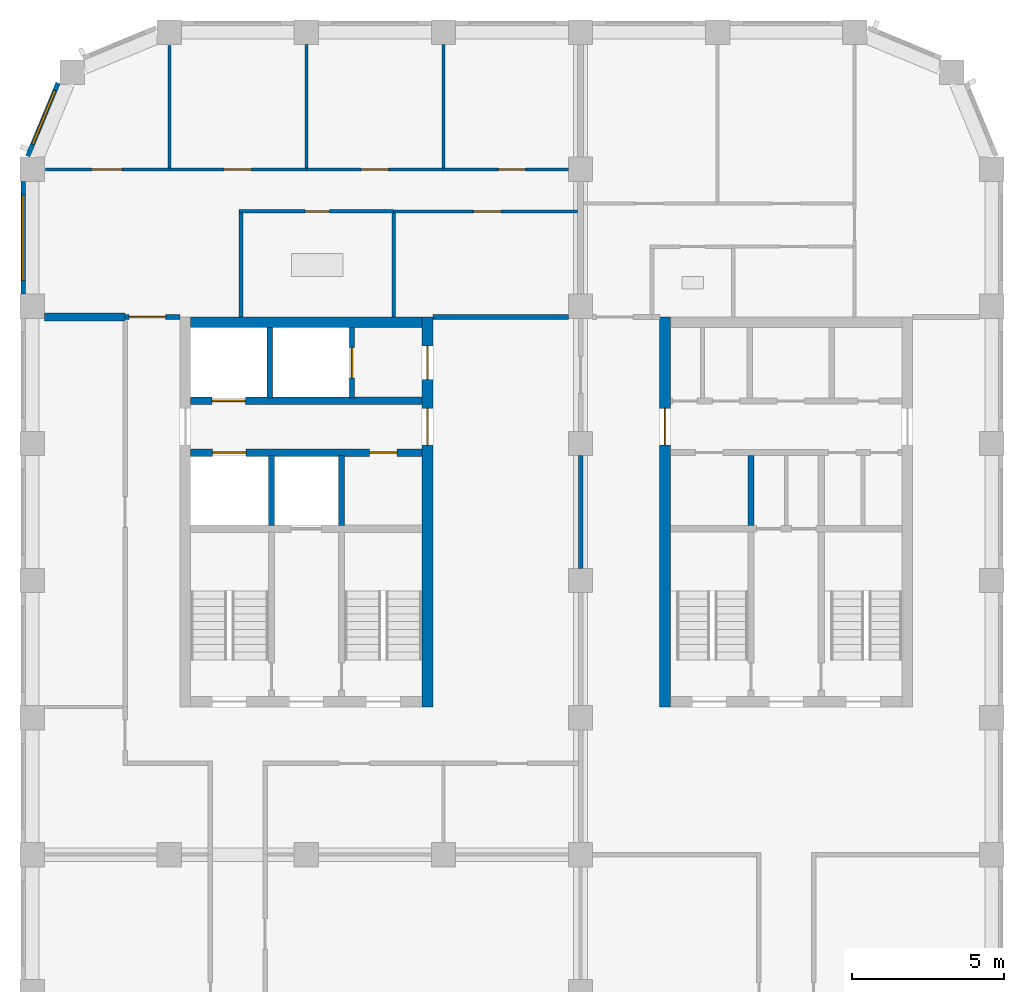
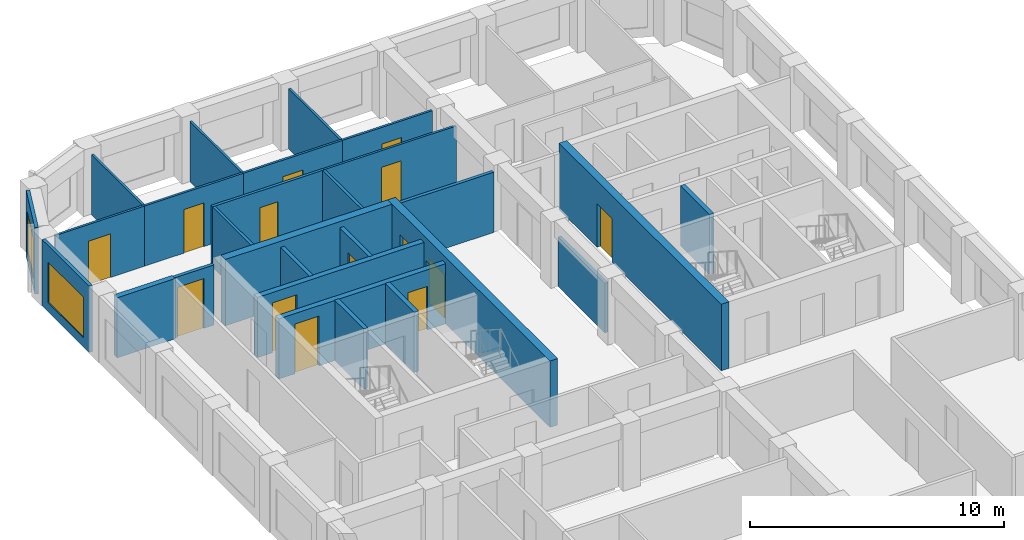
# One storey, part 5 of 9: 27 walls, 14 doors, 2 windows, 16 openings.
"""IFC4 building model written with IfcOpenShell, lengths in metres."""

from ifc_helpers import new_model, si_unit, direction, frame, frame_2d, origin, place, context, subcontext, project, spatial, rectangle, extrude, material, layer, layer_set, type_object, element, fill, save


model = new_model("IFC4")

# Units and contexts
model_context = context("Model", 3, precision=1e-05, world=origin(), true_north=direction((0.0, 1.0)))
body_context = subcontext(model_context, "Body", "Model", "MODEL_VIEW")
ifc_project = project(units=[si_unit("LENGTHUNIT", "METRE"), si_unit("AREAUNIT", "SQUARE_METRE"), si_unit("VOLUMEUNIT", "CUBIC_METRE"), si_unit("PLANEANGLEUNIT", "RADIAN"), si_unit("MASSUNIT", "GRAM", prefix="KILO")], contexts=[model_context])

# Site, building, storey
site_placement = place(None, origin())
site = spatial("IfcSite", under=ifc_project, at=site_placement, CompositionType="ELEMENT")
building_placement = place(site_placement, origin())
building = spatial("IfcBuilding", under=site, at=building_placement, Name="Girih Gate Residences", CompositionType="ELEMENT")
storey_placement = place(building_placement, frame((0.0, 0.0, 182.699951171875)))
storey = spatial("IfcBuildingStorey", under=building, at=storey_placement, Name="L50", CompositionType="ELEMENT", Elevation=182.699951171875)

# Wall
ifc_material_1 = material(Name="Gypsum board on steel studs", Category="steel")
ifc_layer_1 = layer(ifc_material_1, 0.25)
ifc_layer_set_1 = layer_set([ifc_layer_1], Name="Acoustic separating wall 250 mm")
wall_type_1 = type_object("IfcWallType", Name="Acoustic separating wall 250 mm", PredefinedType="PARTITIONING", material=ifc_layer_set_1)
wall_1_placement = place(storey_placement, frame((0.39990234375, 40.14990234375, 0.0), z_axis=(0.0, 0.0, 1.0), x_axis=(1.0, 0.0, 0.0)))
element("IfcWall", 1, at=wall_1_placement, inside=storey, type_object=wall_type_1, Name="L50 partition", PredefinedType="PARTITIONING", context=body_context, shape_type="SweptSolid", body=[
    extrude(rectangle(XDim=2.650146484375, YDim=0.25, at=frame_2d((1.3251953125, 0.0))), origin(), (0.0, 0.0, 1.0), 2.900146484375),
])

# Wall, opening, door
ifc_layer_2 = layer(ifc_material_1, 0.14990234375)
ifc_layer_set_2 = layer_set([ifc_layer_2], Name="Compartment wall 150 mm")
wall_type_2 = type_object("IfcWallType", Name="Compartment wall 150 mm", PredefinedType="PARTITIONING", material=ifc_layer_set_2)
wall_2_placement = place(storey_placement, frame((3.050048828125, 40.14990234375, 0.0), z_axis=(0.0, 0.0, 1.0), x_axis=(1.0, 0.0, 0.0)))
wall_2 = element("IfcWall", 2, at=wall_2_placement, inside=storey, type_object=wall_type_2, Name="L50 partition", PredefinedType="PARTITIONING", context=body_context, shape_type="SweptSolid", body=[
    extrude(rectangle(XDim=1.800048828125, YDim=0.14990234375, at=frame_2d((0.89990234375, 0.0))), origin(), (0.0, 0.0, 1.0), 2.900146484375),
])
opening_1_placement = place(wall_2_placement, frame((0.1298828125, 0.0, 0.0)))
opening_1 = element("IfcOpeningElement", 3, at=opening_1_placement, cuts=wall_2, Name="Opening A50-014", PredefinedType="OPENING", context=body_context, shape_type="SweptSolid", body=[
    extrude(rectangle(XDim=1.199951171875, YDim=2.39990234375, at=frame_2d((0.60009765625, 1.199951171875))), frame((0.0, 0.0849609375, 0.0), z_axis=(0.0, -1.0, 0.0), x_axis=(1.0, 0.0, 0.0)), (0.0, 0.0, 1.0), 0.169921875),
])
ifc_material_2 = material(Name="Timber, fire-rated core", Category="wood")
door_type_1 = type_object("IfcDoorType", Name="Villa entrance door 1200x2400 FD30S", OperationType="NOTDEFINED", PredefinedType="DOOR", material=ifc_material_2)
door_1_placement = place(opening_1_placement, origin())
door_1 = element("IfcDoor", 4, at=door_1_placement, inside=storey, type_object=door_type_1, Name="Door A50-014", OperationType="SINGLE_SWING_LEFT", OverallHeight=2.39990234375, OverallWidth=1.199951171875, PredefinedType="DOOR", context=body_context, shape_type="SweptSolid", body=[
    extrude(rectangle(XDim=1.199951171875, YDim=2.39990234375, at=frame_2d((0.60009765625, 1.199951171875))), frame((0.0, 0.02490234375, 0.0), z_axis=(0.0, -1.0, 0.0), x_axis=(1.0, 0.0, 0.0)), (0.0, 0.0, 1.0), 0.050048828125),
])
fill(opening_1, door_1)

# Walls
wall_3_placement = place(storey_placement, frame((13.14990234375, 40.14990234375, 0.0), z_axis=(0.0, 0.0, 1.0), x_axis=(1.0, 0.0, 0.0)))
element("IfcWall", 5, at=wall_3_placement, inside=storey, type_object=wall_type_2, Name="L50 partition", PredefinedType="PARTITIONING", context=body_context, shape_type="SweptSolid", body=[
    extrude(rectangle(XDim=4.4501953125, YDim=0.14990234375, at=frame_2d((2.22509765625, 0.0))), origin(), (0.0, 0.0, 1.0), 2.900146484375),
])
wall_4_placement = place(storey_placement, frame((18.0, 31.89990234375, 0.0), z_axis=(0.0, 0.0, 1.0), x_axis=(0.0, 1.0, 0.0)))
element("IfcWall", 6, at=wall_4_placement, inside=storey, type_object=wall_type_2, Name="L50 partition", PredefinedType="PARTITIONING", context=body_context, shape_type="SweptSolid", body=[
    extrude(rectangle(XDim=3.7001953125, YDim=0.14990234375, at=frame_2d((1.85009765625, 0.0))), origin(), (0.0, 0.0, 1.0), 2.380126953125),
])
ifc_material_3 = material(Name="Concrete C60/75", Category="concrete")
ifc_layer_3 = layer(ifc_material_3, 0.35009765625)
ifc_layer_set_3 = layer_set([ifc_layer_3], Name="Core wall RC 350 Concrete C60/75")
wall_type_3 = type_object("IfcWallType", Name="Core wall RC 350 Concrete C60/75", PredefinedType="SOLIDWALL", material=ifc_layer_set_3)
wall_5_placement = place(storey_placement, frame((5.199951171875, 39.97509765625, 0.0), z_axis=(0.0, 0.0, 1.0), x_axis=(1.0, 0.0, 0.0)))
element("IfcWall", 7, at=wall_5_placement, inside=storey, type_object=wall_type_3, Name="Core wall W-N L50", PredefinedType="SOLIDWALL", context=body_context, shape_type="SweptSolid", body=[
    extrude(rectangle(XDim=7.60009765625, YDim=0.35009765625, at=frame_2d((3.800048828125, 0.0))), origin(), (0.0, 0.0, 1.0), 3.199951171875),
])

# Wall, openings, doors
wall_6_placement = place(storey_placement, frame((12.97509765625, 27.35009765625, 0.0), z_axis=(0.0, 0.0, 1.0), x_axis=(0.0, 1.0, 0.0)))
wall_6 = element("IfcWall", 8, at=wall_6_placement, inside=storey, type_object=wall_type_3, Name="Core wall W-E L50", PredefinedType="SOLIDWALL", context=body_context, shape_type="SweptSolid", body=[
    extrude(rectangle(XDim=12.7998046875, YDim=0.35009765625, at=frame_2d((6.39990234375, 0.0))), origin(), (0.0, 0.0, 1.0), 3.199951171875),
])
opening_2_placement = place(wall_6_placement, frame((10.75, 0.0, 0.0)))
opening_2 = element("IfcOpeningElement", 9, at=opening_2_placement, cuts=wall_6, Name="Opening D-L50-W-011", PredefinedType="OPENING", context=body_context, shape_type="SweptSolid", body=[
    extrude(rectangle(XDim=1.10009765625, YDim=2.10009765625, at=frame_2d((0.550048828125, 1.050048828125))), frame((0.0, 0.18505859375, 0.0), z_axis=(0.0, -1.0, 0.0), x_axis=(1.0, 0.0, 0.0)), (0.0, 0.0, 1.0), 0.3701171875),
])
opening_3_placement = place(wall_6_placement, frame((8.60009765625, 0.0, 0.0)))
opening_3 = element("IfcOpeningElement", 10, at=opening_3_placement, cuts=wall_6, Name="Opening D-L50-W-013", PredefinedType="OPENING", context=body_context, shape_type="SweptSolid", body=[
    extrude(rectangle(XDim=1.199951171875, YDim=2.10009765625, at=frame_2d((0.60009765625, 1.050048828125))), frame((0.0, 0.18505859375, 0.0), z_axis=(0.0, -1.0, 0.0), x_axis=(1.0, 0.0, 0.0)), (0.0, 0.0, 1.0), 0.3701171875),
])
ifc_material_4 = material(Name="Painted steel, fire-resisting", Category="steel")
door_type_2 = type_object("IfcDoorType", Name="Fire door 1100x2100", OperationType="SINGLE_SWING_LEFT", PredefinedType="DOOR", material=ifc_material_4)
door_2_placement = place(opening_2_placement, origin())
door_2 = element("IfcDoor", 11, at=door_2_placement, inside=storey, type_object=door_type_2, Name="L50 W core door ffl2-e", OperationType="SINGLE_SWING_LEFT", OverallHeight=2.10009765625, OverallWidth=1.10009765625, PredefinedType="DOOR", context=body_context, shape_type="SweptSolid", body=[
    extrude(rectangle(XDim=1.10009765625, YDim=2.10009765625, at=frame_2d((0.550048828125, 1.050048828125))), frame((0.0, 0.02490234375, 0.0), z_axis=(0.0, -1.0, 0.0), x_axis=(1.0, 0.0, 0.0)), (0.0, 0.0, 1.0), 0.050048828125),
])
fill(opening_2, door_2)
door_type_3 = type_object("IfcDoorType", Name="Fire door 1200x2100", OperationType="SINGLE_SWING_LEFT", PredefinedType="DOOR", material=ifc_material_4)
door_3_placement = place(opening_3_placement, origin())
door_3 = element("IfcDoor", 12, at=door_3_placement, inside=storey, type_object=door_type_3, Name="L50 W core door ll-e", OperationType="SINGLE_SWING_LEFT", OverallHeight=2.10009765625, OverallWidth=1.199951171875, PredefinedType="DOOR", context=body_context, shape_type="SweptSolid", body=[
    extrude(rectangle(XDim=1.199951171875, YDim=2.10009765625, at=frame_2d((0.60009765625, 1.050048828125))), frame((0.0, 0.02490234375, 0.0), z_axis=(0.0, -1.0, 0.0), x_axis=(1.0, 0.0, 0.0)), (0.0, 0.0, 1.0), 0.050048828125),
])
fill(opening_3, door_3)

ifc_material_5 = material(Name="Concrete C40/50", Category="concrete")
ifc_layer_4 = layer(ifc_material_5, 0.25)
ifc_layer_set_4 = layer_set([ifc_layer_4], Name="Lift shaft wall 250")
wall_type_4 = type_object("IfcWallType", Name="Lift shaft wall 250", PredefinedType="SOLIDWALL", material=ifc_layer_set_4)
wall_7_placement = place(storey_placement, frame((5.199951171875, 35.699951171875, 0.0), z_axis=(0.0, 0.0, 1.0), x_axis=(1.0, 0.0, 0.0)))
wall_7 = element("IfcWall", 13, at=wall_7_placement, inside=storey, type_object=wall_type_4, Name="L50 W core wall H2", PredefinedType="SOLIDWALL", context=body_context, shape_type="SweptSolid", body=[
    extrude(rectangle(XDim=7.60009765625, YDim=0.25, at=frame_2d((3.800048828125, 0.0))), origin(), (0.0, 0.0, 1.0), 2.900146484375),
])
opening_4_placement = place(wall_7_placement, frame((0.72509765625, 0.0, 0.0)))
opening_4 = element("IfcOpeningElement", 14, at=opening_4_placement, cuts=wall_7, Name="Opening D-L50-W-005", PredefinedType="OPENING", context=body_context, shape_type="SweptSolid", body=[
    extrude(rectangle(XDim=1.10009765625, YDim=2.39990234375, at=frame_2d((0.550048828125, 1.199951171875))), frame((0.0, 0.135009765625, 0.0), z_axis=(0.0, -1.0, 0.0), x_axis=(1.0, 0.0, 0.0)), (0.0, 0.0, 1.0), 0.27001953125),
])
opening_5_placement = place(wall_7_placement, frame((5.875, 0.0, 0.0)))
opening_5 = element("IfcOpeningElement", 15, at=opening_5_placement, cuts=wall_7, Name="Opening D-L50-W-007", PredefinedType="OPENING", context=body_context, shape_type="SweptSolid", body=[
    extrude(rectangle(XDim=0.89990234375, YDim=2.10009765625, at=frame_2d((0.449951171875, 1.050048828125))), frame((0.0, 0.135009765625, 0.0), z_axis=(0.0, -1.0, 0.0), x_axis=(1.0, 0.0, 0.0)), (0.0, 0.0, 1.0), 0.27001953125),
])
door_type_4 = type_object("IfcDoorType", Name="Fire door 900x2100", OperationType="SINGLE_SWING_LEFT", PredefinedType="DOOR", material=ifc_material_4)
door_4_placement = place(opening_5_placement, origin())
door_4 = element("IfcDoor", 16, at=door_4_placement, inside=storey, type_object=door_type_4, Name="L50 W comms room door", OperationType="SINGLE_SWING_LEFT", OverallHeight=2.10009765625, OverallWidth=0.89990234375, PredefinedType="DOOR", context=body_context, shape_type="SweptSolid", body=[
    extrude(rectangle(XDim=0.89990234375, YDim=2.10009765625, at=frame_2d((0.449951171875, 1.050048828125))), frame((0.0, 0.02490234375, 0.0), z_axis=(0.0, -1.0, 0.0), x_axis=(1.0, 0.0, 0.0)), (0.0, 0.0, 1.0), 0.050048828125),
])
fill(opening_5, door_4)
ifc_material_6 = material(Name="Stainless steel", Category="steel")
door_type_5 = type_object("IfcDoorType", Name="Lift landing door 1100x2400", OperationType="SLIDING_TO_LEFT", PredefinedType="DOOR", material=ifc_material_6)
door_5_placement = place(opening_4_placement, origin())
door_5 = element("IfcDoor", 17, at=door_5_placement, inside=storey, type_object=door_type_5, Name="L50 lift HR-W1 landing door", OperationType="SLIDING_TO_LEFT", OverallHeight=2.39990234375, OverallWidth=1.10009765625, PredefinedType="DOOR", context=body_context, shape_type="SweptSolid", body=[
    extrude(rectangle(XDim=1.10009765625, YDim=2.39990234375, at=frame_2d((0.550048828125, 1.199951171875))), frame((0.0, 0.02490234375, 0.0), z_axis=(0.0, -1.0, 0.0), x_axis=(1.0, 0.0, 0.0)), (0.0, 0.0, 1.0), 0.050048828125),
])
fill(opening_4, door_5)

# Wall, opening, door
wall_8_placement = place(storey_placement, frame((5.199951171875, 37.39990234375, 0.0), z_axis=(0.0, 0.0, 1.0), x_axis=(1.0, 0.0, 0.0)))
wall_8 = element("IfcWall", 18, at=wall_8_placement, inside=storey, type_object=wall_type_4, Name="L50 W core wall H3", PredefinedType="SOLIDWALL", context=body_context, shape_type="SweptSolid", body=[
    extrude(rectangle(XDim=7.60009765625, YDim=0.25, at=frame_2d((3.800048828125, 0.0))), origin(), (0.0, 0.0, 1.0), 2.900146484375),
])
opening_6_placement = place(wall_8_placement, frame((0.699951171875, 0.0, 0.0)))
opening_6 = element("IfcOpeningElement", 19, at=opening_6_placement, cuts=wall_8, Name="Opening D-L50-W-003", PredefinedType="OPENING", context=body_context, shape_type="SweptSolid", body=[
    extrude(rectangle(XDim=1.10009765625, YDim=2.39990234375, at=frame_2d((0.550048828125, 1.199951171875))), frame((0.0, 0.135009765625, 0.0), z_axis=(0.0, -1.0, 0.0), x_axis=(1.0, 0.0, 0.0)), (0.0, 0.0, 1.0), 0.27001953125),
])
door_6_placement = place(opening_6_placement, origin())
door_6 = element("IfcDoor", 20, at=door_6_placement, inside=storey, type_object=door_type_5, Name="L50 lift LR-W1 landing door", OperationType="SLIDING_TO_LEFT", OverallHeight=2.39990234375, OverallWidth=1.10009765625, PredefinedType="DOOR", context=body_context, shape_type="SweptSolid", body=[
    extrude(rectangle(XDim=1.10009765625, YDim=2.39990234375, at=frame_2d((0.550048828125, 1.199951171875))), frame((0.0, 0.02490234375, 0.0), z_axis=(0.0, -1.0, 0.0), x_axis=(1.0, 0.0, 0.0)), (0.0, 0.0, 1.0), 0.050048828125),
])
fill(opening_6, door_6)

# Wall
ifc_layer_5 = layer(ifc_material_1, 0.10009765625)
ifc_layer_set_5 = layer_set([ifc_layer_5], Name="Partition 100 mm")
wall_type_5 = type_object("IfcWallType", Name="Partition 100 mm", PredefinedType="PARTITIONING", material=ifc_layer_set_5)
wall_9_placement = place(storey_placement, frame((9.0, 45.050048828125, 0.0), z_axis=(0.0, 0.0, 1.0), x_axis=(0.0, 1.0, 0.0)))
element("IfcWall", 21, at=wall_9_placement, inside=storey, type_object=wall_type_5, Name="L50 partition", PredefinedType="PARTITIONING", context=body_context, shape_type="SweptSolid", body=[
    extrude(rectangle(XDim=4.050048828125, YDim=0.10009765625, at=frame_2d((2.02490234375, 0.0))), origin(), (0.0, 0.0, 1.0), 2.900146484375),
])

# Wall, opening, door
wall_10_placement = place(storey_placement, frame((4.5, 45.0, 0.0), z_axis=(0.0, 0.0, 1.0), x_axis=(1.0, 0.0, 0.0)))
wall_10 = element("IfcWall", 22, at=wall_10_placement, inside=storey, type_object=wall_type_5, Name="L50 partition", PredefinedType="PARTITIONING", context=body_context, shape_type="SweptSolid", body=[
    extrude(rectangle(XDim=4.5, YDim=0.10009765625, at=frame_2d((2.25, 0.0))), origin(), (0.0, 0.0, 1.0), 2.900146484375),
])
opening_7_placement = place(wall_10_placement, frame((1.800048828125, 0.0, 0.0)))
opening_7 = element("IfcOpeningElement", 23, at=opening_7_placement, cuts=wall_10, Name="Opening A50-009", PredefinedType="OPENING", context=body_context, shape_type="SweptSolid", body=[
    extrude(rectangle(XDim=0.89990234375, YDim=2.10009765625, at=frame_2d((0.449951171875, 1.050048828125))), frame((0.0, 0.06005859375, 0.0), z_axis=(0.0, -1.0, 0.0), x_axis=(1.0, 0.0, 0.0)), (0.0, 0.0, 1.0), 0.1201171875),
])
ifc_material_7 = material(Name="Timber", Category="wood")
door_type_6 = type_object("IfcDoorType", Name="Bedroom door 900x2100", OperationType="NOTDEFINED", PredefinedType="DOOR", material=ifc_material_7)
door_7_placement = place(opening_7_placement, origin())
door_7 = element("IfcDoor", 24, at=door_7_placement, inside=storey, type_object=door_type_6, Name="Door A50-009", OperationType="SINGLE_SWING_LEFT", OverallHeight=2.10009765625, OverallWidth=0.89990234375, PredefinedType="DOOR", context=body_context, shape_type="SweptSolid", body=[
    extrude(rectangle(XDim=0.89990234375, YDim=2.10009765625, at=frame_2d((0.449951171875, 1.050048828125))), frame((0.0, 0.02490234375, 0.0), z_axis=(0.0, -1.0, 0.0), x_axis=(1.0, 0.0, 0.0)), (0.0, 0.0, 1.0), 0.050048828125),
])
fill(opening_7, door_7)

# Walls
wall_11_placement = place(storey_placement, frame((4.5, 45.050048828125, 0.0), z_axis=(0.0, 0.0, 1.0), x_axis=(0.0, 1.0, 0.0)))
element("IfcWall", 25, at=wall_11_placement, inside=storey, type_object=wall_type_5, Name="L50 partition", PredefinedType="PARTITIONING", context=body_context, shape_type="SweptSolid", body=[
    extrude(rectangle(XDim=4.01708984375, YDim=0.10009765625, at=frame_2d((2.008544921875, 0.0))), origin(), (0.0, 0.0, 1.0), 2.900146484375),
])
wall_12_placement = place(storey_placement, frame((13.5, 45.050048828125, 0.0), z_axis=(0.0, 0.0, 1.0), x_axis=(0.0, 1.0, 0.0)))
element("IfcWall", 26, at=wall_12_placement, inside=storey, type_object=wall_type_5, Name="L50 partition", PredefinedType="PARTITIONING", context=body_context, shape_type="SweptSolid", body=[
    extrude(rectangle(XDim=4.050048828125, YDim=0.10009765625, at=frame_2d((2.02490234375, 0.0))), origin(), (0.0, 0.0, 1.0), 2.900146484375),
])

# Wall, opening, door
wall_13_placement = place(storey_placement, frame((9.0, 45.0, 0.0), z_axis=(0.0, 0.0, 1.0), x_axis=(1.0, 0.0, 0.0)))
wall_13 = element("IfcWall", 27, at=wall_13_placement, inside=storey, type_object=wall_type_5, Name="L50 partition", PredefinedType="PARTITIONING", context=body_context, shape_type="SweptSolid", body=[
    extrude(rectangle(XDim=4.5, YDim=0.10009765625, at=frame_2d((2.25, 0.0))), origin(), (0.0, 0.0, 1.0), 2.900146484375),
])
opening_8_placement = place(wall_13_placement, frame((1.800048828125, 0.0, 0.0)))
opening_8 = element("IfcOpeningElement", 28, at=opening_8_placement, cuts=wall_13, Name="Opening A50-010", PredefinedType="OPENING", context=body_context, shape_type="SweptSolid", body=[
    extrude(rectangle(XDim=0.89990234375, YDim=2.10009765625, at=frame_2d((0.449951171875, 1.050048828125))), frame((0.0, 0.06005859375, 0.0), z_axis=(0.0, -1.0, 0.0), x_axis=(1.0, 0.0, 0.0)), (0.0, 0.0, 1.0), 0.1201171875),
])
door_8_placement = place(opening_8_placement, origin())
door_8 = element("IfcDoor", 29, at=door_8_placement, inside=storey, type_object=door_type_6, Name="Door A50-010", OperationType="SINGLE_SWING_LEFT", OverallHeight=2.10009765625, OverallWidth=0.89990234375, PredefinedType="DOOR", context=body_context, shape_type="SweptSolid", body=[
    extrude(rectangle(XDim=0.89990234375, YDim=2.10009765625, at=frame_2d((0.449951171875, 1.050048828125))), frame((0.0, 0.02490234375, 0.0), z_axis=(0.0, -1.0, 0.0), x_axis=(1.0, 0.0, 0.0)), (0.0, 0.0, 1.0), 0.050048828125),
])
fill(opening_8, door_8)

wall_14_placement = place(storey_placement, frame((13.5, 45.0, 0.0), z_axis=(0.0, 0.0, 1.0), x_axis=(1.0, 0.0, 0.0)))
wall_14 = element("IfcWall", 30, at=wall_14_placement, inside=storey, type_object=wall_type_5, Name="L50 partition", PredefinedType="PARTITIONING", context=body_context, shape_type="SweptSolid", body=[
    extrude(rectangle(XDim=4.10009765625, YDim=0.10009765625, at=frame_2d((2.050048828125, 0.0))), origin(), (0.0, 0.0, 1.0), 2.900146484375),
])
opening_9_placement = place(wall_14_placement, frame((1.800048828125, 0.0, 0.0)))
opening_9 = element("IfcOpeningElement", 31, at=opening_9_placement, cuts=wall_14, Name="Opening A50-011", PredefinedType="OPENING", context=body_context, shape_type="SweptSolid", body=[
    extrude(rectangle(XDim=0.89990234375, YDim=2.10009765625, at=frame_2d((0.449951171875, 1.050048828125))), frame((0.0, 0.06005859375, 0.0), z_axis=(0.0, -1.0, 0.0), x_axis=(1.0, 0.0, 0.0)), (0.0, 0.0, 1.0), 0.1201171875),
])
door_9_placement = place(opening_9_placement, origin())
door_9 = element("IfcDoor", 32, at=door_9_placement, inside=storey, type_object=door_type_6, Name="Door A50-011", OperationType="SINGLE_SWING_RIGHT", OverallHeight=2.10009765625, OverallWidth=0.89990234375, PredefinedType="DOOR", context=body_context, shape_type="SweptSolid", body=[
    extrude(rectangle(XDim=0.89990234375, YDim=2.10009765625, at=frame_2d((0.449951171875, 1.050048828125))), frame((0.0, 0.02490234375, 0.0), z_axis=(0.0, -1.0, 0.0), x_axis=(1.0, 0.0, 0.0)), (0.0, 0.0, 1.0), 0.050048828125),
])
fill(opening_9, door_9)

wall_15_placement = place(storey_placement, frame((17.89990234375, 43.6201171875, 0.0), z_axis=(0.0, 0.0, 1.0), x_axis=(-1.0, 0.0, 0.0)))
wall_15 = element("IfcWall", 33, at=wall_15_placement, inside=storey, type_object=wall_type_5, Name="L50 partition", PredefinedType="PARTITIONING", context=body_context, shape_type="SweptSolid", body=[
    extrude(rectangle(XDim=6.033935546875, YDim=0.10009765625, at=frame_2d((3.01708984375, 0.0))), origin(), (0.0, 0.0, 1.0), 2.900146484375),
])
opening_10_placement = place(wall_15_placement, frame((2.51708984375, 0.0, 0.0)))
opening_10 = element("IfcOpeningElement", 34, at=opening_10_placement, cuts=wall_15, Name="Opening A50-012", PredefinedType="OPENING", context=body_context, shape_type="SweptSolid", body=[
    extrude(rectangle(XDim=0.89990234375, YDim=2.10009765625, at=frame_2d((0.449951171875, 1.050048828125))), frame((0.0, 0.06005859375, 0.0), z_axis=(0.0, -1.0, 0.0), x_axis=(1.0, 0.0, 0.0)), (0.0, 0.0, 1.0), 0.1201171875),
])
door_type_7 = type_object("IfcDoorType", Name="Kitchen door 900x2100", OperationType="NOTDEFINED", PredefinedType="DOOR", material=ifc_material_7)
door_10_placement = place(opening_10_placement, origin())
door_10 = element("IfcDoor", 35, at=door_10_placement, inside=storey, type_object=door_type_7, Name="Door A50-012", OperationType="SINGLE_SWING_LEFT", OverallHeight=2.10009765625, OverallWidth=0.89990234375, PredefinedType="DOOR", context=body_context, shape_type="SweptSolid", body=[
    extrude(rectangle(XDim=0.89990234375, YDim=2.10009765625, at=frame_2d((0.449951171875, 1.050048828125))), frame((0.0, 0.02490234375, 0.0), z_axis=(0.0, -1.0, 0.0), x_axis=(1.0, 0.0, 0.0)), (0.0, 0.0, 1.0), 0.050048828125),
])
fill(opening_10, door_10)

wall_16_placement = place(storey_placement, frame((0.432861328125, 45.0, 0.0), z_axis=(0.0, 0.0, 1.0), x_axis=(1.0, 0.0, 0.0)))
wall_16 = element("IfcWall", 36, at=wall_16_placement, inside=storey, type_object=wall_type_5, Name="L50 partition", PredefinedType="PARTITIONING", context=body_context, shape_type="SweptSolid", body=[
    extrude(rectangle(XDim=4.067138671875, YDim=0.10009765625, at=frame_2d((2.03369140625, 0.0))), origin(), (0.0, 0.0, 1.0), 2.900146484375),
])
opening_11_placement = place(wall_16_placement, frame((1.51708984375, 0.0, 0.0)))
opening_11 = element("IfcOpeningElement", 37, at=opening_11_placement, cuts=wall_16, Name="Opening A50-013", PredefinedType="OPENING", context=body_context, shape_type="SweptSolid", body=[
    extrude(rectangle(XDim=1.0, YDim=2.10009765625, at=frame_2d((0.5, 1.050048828125))), frame((0.0, 0.06005859375, 0.0), z_axis=(0.0, -1.0, 0.0), x_axis=(1.0, 0.0, 0.0)), (0.0, 0.0, 1.0), 0.1201171875),
])
door_type_8 = type_object("IfcDoorType", Name="Living room door 1000x2100", OperationType="NOTDEFINED", PredefinedType="DOOR", material=ifc_material_7)
door_11_placement = place(opening_11_placement, origin())
door_11 = element("IfcDoor", 38, at=door_11_placement, inside=storey, type_object=door_type_8, Name="Door A50-013", OperationType="SINGLE_SWING_LEFT", OverallHeight=2.10009765625, OverallWidth=1.0, PredefinedType="DOOR", context=body_context, shape_type="SweptSolid", body=[
    extrude(rectangle(XDim=1.0, YDim=2.10009765625, at=frame_2d((0.5, 1.050048828125))), frame((0.0, 0.02490234375, 0.0), z_axis=(0.0, -1.0, 0.0), x_axis=(1.0, 0.0, 0.0)), (0.0, 0.0, 1.0), 0.050048828125),
])
fill(opening_11, door_11)

# Wall, opening, window
ifc_material_8 = material(Name="Precast concrete C50/60", Category="concrete")
ifc_layer_6 = layer(ifc_material_8, 0.050048828125, Name="Outer leaf")
ifc_material_9 = material(Name="Rigid PIR insulation")
ifc_layer_7 = layer(ifc_material_9, 0.06005859375, Name="Insulation")
ifc_material_10 = material(Name="Precast concrete C40/50", Category="concrete")
ifc_layer_8 = layer(ifc_material_10, 0.0400390625, Name="Inner leaf")
ifc_layer_set_6 = layer_set([ifc_layer_6, ifc_layer_7, ifc_layer_8], Name="Precast concrete C50/60 external wall 150")
wall_type_6 = type_object("IfcWallType", Name="Precast concrete C50/60 external wall 150", PredefinedType="SOLIDWALL", material=ifc_layer_set_6)
wall_17_placement = place(storey_placement, frame((-0.147216796875, 45.4287109375, 0.0), z_axis=(0.0, 0.0, 1.0), x_axis=(0.382669406082, 0.923885342263, 0.0)))
wall_17 = element("IfcWall", 39, at=wall_17_placement, inside=storey, type_object=wall_type_6, Name="External wall NW0013_0482.0", PredefinedType="SOLIDWALL", context=body_context, shape_type="SweptSolid", body=[
    extrude(rectangle(XDim=2.602294921875, YDim=0.14990234375, at=frame_2d((1.30126953125, 0.0))), origin(), (0.0, 0.0, 1.0), 3.199951171875),
])
opening_12_placement = place(wall_17_placement, frame((0.432373046875, 0.0, 0.449951171875)))
opening_12 = element("IfcOpeningElement", 40, at=opening_12_placement, cuts=wall_17, Name="Opening W-2G", PredefinedType="OPENING", context=body_context, shape_type="SweptSolid", body=[
    extrude(rectangle(XDim=1.89990234375, YDim=1.949951171875, at=frame_2d((0.949951171875, 0.97509765625))), frame((0.0, 0.0849609375, 0.0), z_axis=(0.0, -1.0, 0.0), x_axis=(1.0, 0.0, 0.0)), (0.0, 0.0, 1.0), 0.169921875),
])
ifc_material_11 = material(Name="Double glazing in aluminium frame", Category="aluminium")
window_type_1 = type_object("IfcWindowType", Name="Window W-2G 1900x1950", PartitioningType="SINGLE_PANEL", PredefinedType="WINDOW", material=ifc_material_11)
window_1_placement = place(opening_12_placement, origin())
window_1 = element("IfcWindow", 41, at=window_1_placement, inside=storey, type_object=window_type_1, Name="Window W-2G NW0013_0482.0", OverallHeight=1.949951171875, OverallWidth=1.89990234375, PartitioningType="SINGLE_PANEL", PredefinedType="WINDOW", context=body_context, shape_type="SweptSolid", body=[
    extrude(rectangle(XDim=1.89990234375, YDim=1.949951171875, at=frame_2d((0.949951171875, 0.97509765625))), frame((0.0, 0.030029296875, 0.0), z_axis=(0.0, -1.0, 0.0), x_axis=(1.0, 0.0, 0.0)), (0.0, 0.0, 1.0), 0.06005859375),
])
fill(opening_12, window_1)

wall_18_placement = place(storey_placement, frame((-0.300048828125, 40.89990234375, 0.0), z_axis=(0.0, 0.0, 1.0), x_axis=(0.0, 1.0, 0.0)))
wall_18 = element("IfcWall", 42, at=wall_18_placement, inside=storey, type_object=wall_type_6, Name="External wall W0000_0450.0", PredefinedType="SOLIDWALL", context=body_context, shape_type="SweptSolid", body=[
    extrude(rectangle(XDim=3.7001953125, YDim=0.14990234375, at=frame_2d((1.85009765625, 0.0))), origin(), (0.0, 0.0, 1.0), 3.199951171875),
])
opening_13_placement = place(wall_18_placement, frame((0.449951171875, 0.0, 0.449951171875)))
opening_13 = element("IfcOpeningElement", 43, at=opening_13_placement, cuts=wall_18, Name="Opening W-1B", PredefinedType="OPENING", context=body_context, shape_type="SweptSolid", body=[
    extrude(rectangle(XDim=2.800048828125, YDim=1.949951171875, at=frame_2d((1.39990234375, 0.97509765625))), frame((0.0, 0.0849609375, 0.0), z_axis=(0.0, -1.0, 0.0), x_axis=(1.0, 0.0, 0.0)), (0.0, 0.0, 1.0), 0.169921875),
])
window_type_2 = type_object("IfcWindowType", Name="Window W-1B 2800x1950", PartitioningType="SINGLE_PANEL", PredefinedType="WINDOW", material=ifc_material_11)
window_2_placement = place(opening_13_placement, origin())
window_2 = element("IfcWindow", 44, at=window_2_placement, inside=storey, type_object=window_type_2, Name="Window W-1B W0000_0450.0", OverallHeight=1.949951171875, OverallWidth=2.800048828125, PartitioningType="SINGLE_PANEL", PredefinedType="WINDOW", context=body_context, shape_type="SweptSolid", body=[
    extrude(rectangle(XDim=2.800048828125, YDim=1.949951171875, at=frame_2d((1.39990234375, 0.97509765625))), frame((0.0, 0.030029296875, 0.0), z_axis=(0.0, -1.0, 0.0), x_axis=(1.0, 0.0, 0.0)), (0.0, 0.0, 1.0), 0.06005859375),
])
fill(opening_13, window_2)

# Wall
ifc_layer_9 = layer(ifc_material_5, 0.175048828125)
ifc_layer_set_7 = layer_set([ifc_layer_9], Name="Riser shaft wall 175")
wall_type_7 = type_object("IfcWallType", Name="Riser shaft wall 175", PredefinedType="SOLIDWALL", material=ifc_layer_set_7)
wall_19_placement = place(storey_placement, frame((7.800048828125, 37.5, 0.0), z_axis=(0.0, 0.0, 1.0), x_axis=(0.0, 1.0, 0.0)))
element("IfcWall", 45, at=wall_19_placement, inside=storey, type_object=wall_type_7, Name="L50 W core wall V1c", PredefinedType="SOLIDWALL", context=body_context, shape_type="SweptSolid", body=[
    extrude(rectangle(XDim=2.300048828125, YDim=0.175048828125, at=frame_2d((1.14990234375, 0.0))), origin(), (0.0, 0.0, 1.0), 2.900146484375),
])

# Wall, opening, door
wall_20_placement = place(storey_placement, frame((10.5, 37.5, 0.0), z_axis=(0.0, 0.0, 1.0), x_axis=(0.0, 1.0, 0.0)))
wall_20 = element("IfcWall", 46, at=wall_20_placement, inside=storey, type_object=wall_type_7, Name="L50 W core wall V2c", PredefinedType="SOLIDWALL", context=body_context, shape_type="SweptSolid", body=[
    extrude(rectangle(XDim=2.300048828125, YDim=0.175048828125, at=frame_2d((1.14990234375, 0.0))), origin(), (0.0, 0.0, 1.0), 2.900146484375),
])
opening_14_placement = place(wall_20_placement, frame((0.64990234375, 0.0, 0.0)))
opening_14 = element("IfcOpeningElement", 47, at=opening_14_placement, cuts=wall_20, Name="Opening D-L50-W-004", PredefinedType="OPENING", context=body_context, shape_type="SweptSolid", body=[
    extrude(rectangle(XDim=1.0, YDim=2.10009765625, at=frame_2d((0.5, 1.050048828125))), frame((0.0, 0.097412109375, 0.0), z_axis=(0.0, -1.0, 0.0), x_axis=(1.0, 0.0, 0.0)), (0.0, 0.0, 1.0), 0.195068359375),
])
ifc_material_12 = material(Name="Stainless steel, fire-resisting", Category="steel")
door_type_9 = type_object("IfcDoorType", Name="Firefighting lift landing door 1000x2100", OperationType="SLIDING_TO_LEFT", PredefinedType="DOOR", material=ifc_material_12)
door_12_placement = place(opening_14_placement, origin())
door_12 = element("IfcDoor", 48, at=door_12_placement, inside=storey, type_object=door_type_9, Name="L50 lift FF-W2 landing door", OperationType="SLIDING_TO_LEFT", OverallHeight=2.10009765625, OverallWidth=1.0, PredefinedType="DOOR", context=body_context, shape_type="SweptSolid", body=[
    extrude(rectangle(XDim=1.0, YDim=2.10009765625, at=frame_2d((0.5, 1.050048828125))), frame((0.0, 0.02490234375, 0.0), z_axis=(0.0, -1.0, 0.0), x_axis=(1.0, 0.0, 0.0)), (0.0, 0.0, 1.0), 0.050048828125),
])
fill(opening_14, door_12)

# Walls
ifc_layer_10 = layer(ifc_material_5, 0.199951171875)
ifc_layer_set_8 = layer_set([ifc_layer_10], Name="Shaft wall 200")
wall_type_8 = type_object("IfcWallType", Name="Shaft wall 200", PredefinedType="SOLIDWALL", material=ifc_layer_set_8)
for number, where, z_axis, x_axis, name in (
    (49, (7.85009765625, 33.300048828125, 0.0), (0.0, 0.0, 1.0), (0.0, 1.0, 0.0), "L50 W core wall V1b"),
    (50, (10.14990234375, 33.300048828125, 0.0), (0.0, 0.0, 1.0), (0.0, 1.0, 0.0), "L50 W core wall V2b"),
    (51, (23.60009765625, 33.300048828125, 0.0), (0.0, 0.0, 1.0), (0.0, 1.0, 0.0), "L50 C core wall V1b"),
):
    element("IfcWall", number, at=place(storey_placement, frame(where, z_axis=z_axis, x_axis=x_axis)), inside=storey, type_object=wall_type_8, Name=name, PredefinedType="SOLIDWALL", context=body_context, shape_type="SweptSolid", body=[
        extrude(rectangle(XDim=2.300048828125, YDim=0.199951171875, at=frame_2d((1.14990234375, 0.0))), origin(), (0.0, 0.0, 1.0), 2.900146484375),
    ])

# Wall, opening, door
ifc_layer_11 = layer(ifc_material_5, 0.35009765625)
ifc_layer_set_9 = layer_set([ifc_layer_11], Name="Stair core wall RC 350 Concrete C40/50")
wall_type_9 = type_object("IfcWallType", Name="Stair core wall RC 350 Concrete C40/50", PredefinedType="SOLIDWALL", material=ifc_layer_set_9)
wall_21_placement = place(storey_placement, frame((20.77490234375, 27.35009765625, 0.0), z_axis=(0.0, 0.0, 1.0), x_axis=(0.0, 1.0, 0.0)))
wall_21 = element("IfcWall", 52, at=wall_21_placement, inside=storey, type_object=wall_type_9, Name="Stair core wall C-W L50", PredefinedType="SOLIDWALL", context=body_context, shape_type="SweptSolid", body=[
    extrude(rectangle(XDim=12.7998046875, YDim=0.35009765625, at=frame_2d((6.39990234375, 0.0))), origin(), (0.0, 0.0, 1.0), 3.199951171875),
])
opening_15_placement = place(wall_21_placement, frame((8.60009765625, 0.0, 0.0)))
opening_15 = element("IfcOpeningElement", 53, at=opening_15_placement, cuts=wall_21, Name="Opening D-L50-C-015", PredefinedType="OPENING", context=body_context, shape_type="SweptSolid", body=[
    extrude(rectangle(XDim=1.199951171875, YDim=2.10009765625, at=frame_2d((0.60009765625, 1.050048828125))), frame((0.0, 0.18505859375, 0.0), z_axis=(0.0, -1.0, 0.0), x_axis=(1.0, 0.0, 0.0)), (0.0, 0.0, 1.0), 0.3701171875),
])
door_13_placement = place(opening_15_placement, origin())
door_13 = element("IfcDoor", 54, at=door_13_placement, inside=storey, type_object=door_type_3, Name="L50 C core door ll-w", OperationType="SINGLE_SWING_LEFT", OverallHeight=2.10009765625, OverallWidth=1.199951171875, PredefinedType="DOOR", context=body_context, shape_type="SweptSolid", body=[
    extrude(rectangle(XDim=1.199951171875, YDim=2.10009765625, at=frame_2d((0.60009765625, 1.050048828125))), frame((0.0, 0.02490234375, 0.0), z_axis=(0.0, -1.0, 0.0), x_axis=(1.0, 0.0, 0.0)), (0.0, 0.0, 1.0), 0.050048828125),
])
fill(opening_15, door_13)

# Wall
ifc_layer_12 = layer(ifc_material_1, 0.125)
ifc_layer_set_10 = layer_set([ifc_layer_12], Name="Wet room wall 125 mm")
wall_type_10 = type_object("IfcWallType", Name="Wet room wall 125 mm", PredefinedType="PARTITIONING", material=ifc_layer_set_10)
wall_22_placement = place(storey_placement, frame((6.85009765625, 40.14990234375, 0.0), z_axis=(0.0, 0.0, 1.0), x_axis=(0.0, 1.0, 0.0)))
element("IfcWall", 55, at=wall_22_placement, inside=storey, type_object=wall_type_10, Name="L50 partition", PredefinedType="PARTITIONING", context=body_context, shape_type="SweptSolid", body=[
    extrude(rectangle(XDim=3.40771484375, YDim=0.125, at=frame_2d((1.703857421875, 0.0))), origin(), (0.0, 0.0, 1.0), 2.900146484375),
])

# Wall, opening, door
wall_23_placement = place(storey_placement, frame((11.865966796875, 43.6201171875, 0.0), z_axis=(0.0, 0.0, 1.0), x_axis=(-1.0, 0.0, 0.0)))
wall_23 = element("IfcWall", 56, at=wall_23_placement, inside=storey, type_object=wall_type_10, Name="L50 partition", PredefinedType="PARTITIONING", context=body_context, shape_type="SweptSolid", body=[
    extrude(rectangle(XDim=5.078369140625, YDim=0.125, at=frame_2d((2.5390625, 0.0))), origin(), (0.0, 0.0, 1.0), 2.900146484375),
])
opening_16_placement = place(wall_23_placement, frame((2.10791015625, 0.0, 0.0)))
opening_16 = element("IfcOpeningElement", 57, at=opening_16_placement, cuts=wall_23, Name="Opening A50-008", PredefinedType="OPENING", context=body_context, shape_type="SweptSolid", body=[
    extrude(rectangle(XDim=0.800048828125, YDim=2.10009765625, at=frame_2d((0.39990234375, 1.050048828125))), frame((0.0, 0.072509765625, 0.0), z_axis=(0.0, -1.0, 0.0), x_axis=(1.0, 0.0, 0.0)), (0.0, 0.0, 1.0), 0.14501953125),
])
door_type_10 = type_object("IfcDoorType", Name="Bathroom door 800x2100", OperationType="NOTDEFINED", PredefinedType="DOOR", material=ifc_material_7)
door_14_placement = place(opening_16_placement, origin())
door_14 = element("IfcDoor", 58, at=door_14_placement, inside=storey, type_object=door_type_10, Name="Door A50-008", OperationType="SINGLE_SWING_LEFT", OverallHeight=2.10009765625, OverallWidth=0.800048828125, PredefinedType="DOOR", context=body_context, shape_type="SweptSolid", body=[
    extrude(rectangle(XDim=0.800048828125, YDim=2.10009765625, at=frame_2d((0.39990234375, 1.050048828125))), frame((0.0, 0.02490234375, 0.0), z_axis=(0.0, -1.0, 0.0), x_axis=(1.0, 0.0, 0.0)), (0.0, 0.0, 1.0), 0.050048828125),
])
fill(opening_16, door_14)

# Wall
wall_24_placement = place(storey_placement, frame((11.865966796875, 40.14990234375, 0.0), z_axis=(0.0, 0.0, 1.0), x_axis=(0.0, 1.0, 0.0)))
element("IfcWall", 59, at=wall_24_placement, inside=storey, type_object=wall_type_10, Name="L50 partition", PredefinedType="PARTITIONING", context=body_context, shape_type="SweptSolid", body=[
    extrude(rectangle(XDim=3.40771484375, YDim=0.125, at=frame_2d((1.703857421875, 0.0))), origin(), (0.0, 0.0, 1.0), 2.900146484375),
])

save(model, "model.ifc")
